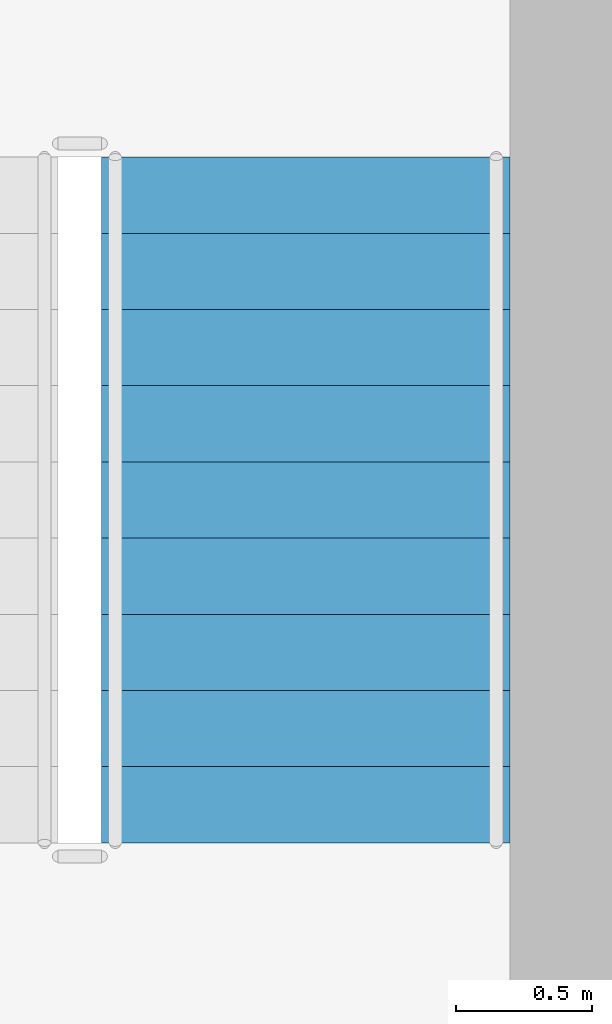
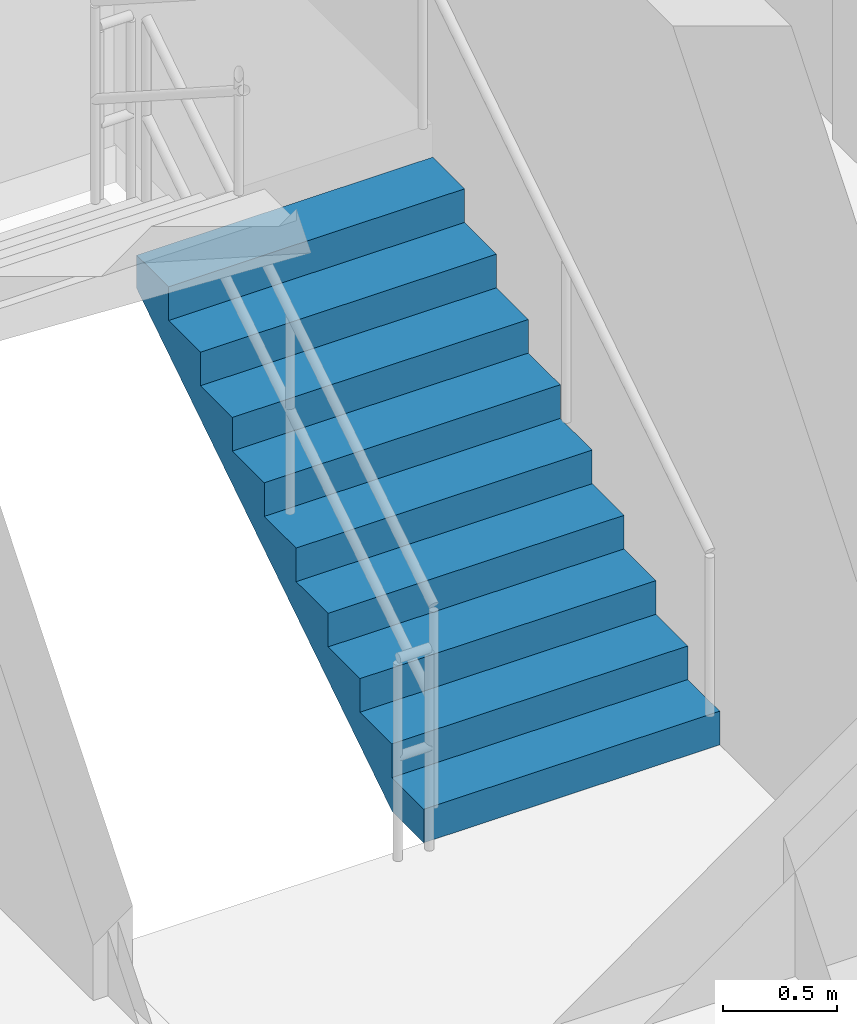
# One storey, part 12 of 15: 1 stair flight, 1 element without a shape of its own.
"""IFC4 building model written with IfcOpenShell, lengths in metres."""

import ifcopenshell
import ifcopenshell.guid

model = None  # the IFC model being written
_history = None  # IfcOwnerHistory: only IFC2X3 demands one
_inside = {}  # id of a spatial element -> (the spatial element, [elements in it])
_under = {}  # id of a project, library or spatial element -> (it, [spatial elements below it])
_declared = {}  # id of a project -> (the project, [libraries it declares])
_typed = {}  # id of a type object -> (the type object, [elements of that type])
_made_of = {}  # id of a material, layer set ... -> (it, [elements and type objects made of it])


def new_model(schema):
    """Start an empty IFC model of exactly this schema.

    Asked for "IFC4X3", IfcOpenShell would pick the latest addendum, in which some entities
    have other attributes; the version numbers below select the first issue.
    IFC2X3 requires an IfcOwnerHistory on every rooted entity: one is made here for all.
    """
    global model, _history
    if schema == "IFC4X3":
        model = ifcopenshell.file(schema_version=(4, 3, 0, 0))
    else:
        model = ifcopenshell.file(schema=schema)
    _inside.clear()
    _under.clear()
    _declared.clear()
    _typed.clear()
    _made_of.clear()
    _history = None
    if model.schema == "IFC2X3":
        org = make("IfcOrganization", Name="unknown")
        user = make(
            "IfcPersonAndOrganization",
            ThePerson=make("IfcPerson", FamilyName="unknown"),
            TheOrganization=org,
        )
        app = make(
            "IfcApplication",
            ApplicationDeveloper=org,
            Version="unknown",
            ApplicationFullName="unknown",
            ApplicationIdentifier="unknown",
        )
        _history = make(
            "IfcOwnerHistory",
            OwningUser=user,
            OwningApplication=app,
            ChangeAction="ADDED",
            CreationDate=0,
        )
    return model


def make(cls, **values):
    """One entity of the class cls with the attributes given. An attribute that is None is left unset."""
    return model.create_entity(
        cls, **{name: value for name, value in values.items() if value is not None}
    )


def rooted(cls, **values):
    """An entity with a GlobalId (a new one), such as an element, a storey or a relation."""
    return make(cls, GlobalId=ifcopenshell.guid.new(), OwnerHistory=_history, **values)


def si_unit(unit_type, name, prefix=None):
    """IfcSIUnit, for example si_unit("LENGTHUNIT", "METRE", prefix="MILLI")."""
    return make("IfcSIUnit", UnitType=unit_type, Prefix=prefix, Name=name)


def derived_unit(unit_type, elements):
    """IfcDerivedUnit: a product of units, each with its exponent."""
    return make(
        "IfcDerivedUnit",
        Elements=[
            make("IfcDerivedUnitElement", Unit=unit, Exponent=power)
            for unit, power in elements
        ],
        UnitType=unit_type,
    )


def assignment(units):
    """IfcUnitAssignment: the units of a project."""
    return None if units is None else make("IfcUnitAssignment", Units=units)


def point(xyz):
    """IfcCartesianPoint."""
    return None if xyz is None else make("IfcCartesianPoint", Coordinates=xyz)


def direction(xyz):
    """IfcDirection."""
    return None if xyz is None else make("IfcDirection", DirectionRatios=xyz)


def frame(location, z_axis=None, x_axis=None):
    """IfcAxis2Placement3D, a coordinate frame: its origin and axes. An axis left out is left unset."""
    return make(
        "IfcAxis2Placement3D",
        Location=point(location),
        Axis=direction(z_axis),
        RefDirection=direction(x_axis),
    )


def origin():
    """The frame at (0, 0, 0) with its axes left unset."""
    return frame((0.0, 0.0, 0.0))


def place(relative_to, where):
    """IfcLocalPlacement: puts the frame where relative to a parent placement (None: the world)."""
    return make(
        "IfcLocalPlacement", PlacementRelTo=relative_to, RelativePlacement=where
    )


def context(
    kind, dimensions, precision=None, world=None, true_north=None, identifier=None
):
    """IfcGeometricRepresentationContext, for example the 3D "Model" context."""
    return make(
        "IfcGeometricRepresentationContext",
        ContextIdentifier=identifier,
        ContextType=kind,
        CoordinateSpaceDimension=dimensions,
        Precision=precision,
        WorldCoordinateSystem=world,
        TrueNorth=true_north,
    )


def subcontext(parent, identifier, kind, view, scale=None):
    """IfcGeometricRepresentationSubContext, for example "Body" below "Model"."""
    return make(
        "IfcGeometricRepresentationSubContext",
        ContextIdentifier=identifier,
        ContextType=kind,
        ParentContext=parent,
        TargetScale=scale,
        TargetView=view,
    )


def project(units=None, contexts=None):
    """IfcProject with its units and contexts."""
    return rooted(
        "IfcProject",
        Name="project",
        RepresentationContexts=contexts,
        UnitsInContext=assignment(units),
    )


def spatial(cls, under=None, at=None, **own):
    """A site, building, storey or space (cls), placed at a placement, below another one or the project."""
    s = rooted(cls, ObjectPlacement=at, **own)
    if under is not None:
        _under.setdefault(under.id(), (under, []))[1].append(s)
    return s


def polyline(points):
    """IfcPolyline through the points."""
    return make("IfcPolyline", Points=[point(p) for p in points])


def outline(outer, holes=None, kind="AREA"):
    """IfcArbitraryClosedProfileDef: a profile drawn as a closed curve; with holes, ...WithVoids."""
    if holes is None:
        return make("IfcArbitraryClosedProfileDef", ProfileType=kind, OuterCurve=outer)
    return make(
        "IfcArbitraryProfileDefWithVoids",
        ProfileType=kind,
        OuterCurve=outer,
        InnerCurves=holes,
    )


def extrude(swept, where, along, depth):
    """IfcExtrudedAreaSolid: the profile swept, set in the frame where, extruded along a direction by depth."""
    return make(
        "IfcExtrudedAreaSolid",
        SweptArea=swept,
        Position=where,
        ExtrudedDirection=direction(along),
        Depth=depth,
    )


def shape(context_of_items, identifier, shape_type, items):
    """IfcShapeRepresentation: the items that make up one representation, for example the "Body"."""
    return make(
        "IfcShapeRepresentation",
        ContextOfItems=context_of_items,
        RepresentationIdentifier=identifier,
        RepresentationType=shape_type,
        Items=items,
    )


def material(Name=None, Category=None):
    """IfcMaterial."""
    return make("IfcMaterial", Name=Name, Category=Category)


def made_of(thing, what):
    """Note that an element or type object is made of a material, layer set ...; save() writes the relation."""
    if what is not None:
        _made_of.setdefault(what.id(), (what, []))[1].append(thing)
    return thing


def type_object(cls, material=None, **own):
    """A type object (cls), such as IfcWallType, which elements share."""
    return made_of(rooted(cls, **own), material)


def element(
    cls,
    number,
    at=None,
    inside=None,
    cuts=None,
    type_object=None,
    material=None,
    context=None,
    identifier="Body",
    shape_type=None,
    held_by="IfcProductDefinitionShape",
    body=None,
    shapes=None,
    **own,
):
    """One element of the class cls, such as IfcWall. Its Tag is "e" and its number.

    at: its placement. inside: the storey or other place that contains it. cuts: it is an
    opening in that element (IfcRelVoidsElement). A single representation is given by context,
    identifier, shape_type and body (its items); several are given by shapes. held_by: the class
    of the entity that holds the representations. save() writes the other relations.
    """
    e = rooted(cls, Tag="e%d" % number, ObjectPlacement=at, **own)
    if body is not None:
        shapes = [shape(context, identifier, shape_type, body)]
    if shapes is not None:
        e.Representation = make(held_by, Representations=shapes)
    if inside is not None:
        _inside.setdefault(inside.id(), (inside, []))[1].append(e)
    if cuts is not None:
        rooted(
            "IfcRelVoidsElement", RelatingBuildingElement=cuts, RelatedOpeningElement=e
        )
    if type_object is not None:
        _typed.setdefault(type_object.id(), (type_object, []))[1].append(e)
    return made_of(e, material)


def aggregate(whole, parts):
    """IfcRelAggregates: a whole, such as a stair, and the parts it consists of."""
    return rooted("IfcRelAggregates", RelatingObject=whole, RelatedObjects=parts)


def save(model, path):
    """Write the relations noted so far, then the file.

    IfcRelAggregates (storeys below a building ...), IfcRelContainedInSpatialStructure (elements
    in a storey), IfcRelDefinesByType, IfcRelAssociatesMaterial and IfcRelDeclares: one each for
    every whole, place, type object, material and project.
    """
    for whole, parts in _under.values():
        aggregate(whole, parts)
    for where, things in _inside.values():
        rooted(
            "IfcRelContainedInSpatialStructure",
            RelatedElements=things,
            RelatingStructure=where,
        )
    for kind, things in _typed.values():
        rooted("IfcRelDefinesByType", RelatedObjects=things, RelatingType=kind)
    for what, things in _made_of.values():
        rooted("IfcRelAssociatesMaterial", RelatedObjects=things, RelatingMaterial=what)
    for by, libraries in _declared.values():
        rooted("IfcRelDeclares", RelatingContext=by, RelatedDefinitions=libraries)
    model.write(path)


model = new_model("IFC4")

# Units and contexts
model_context = context("Model", 3, precision=1e-05, world=origin(), true_north=direction((0.0, 1.0)))
body_context = subcontext(model_context, "Body", "Model", "MODEL_VIEW")
ifc_project = project(units=[si_unit("LENGTHUNIT", "METRE"), si_unit("AREAUNIT", "SQUARE_METRE"), si_unit("VOLUMEUNIT", "CUBIC_METRE"), si_unit("PLANEANGLEUNIT", "RADIAN"), si_unit("MASSUNIT", "GRAM", prefix="KILO"), derived_unit("THERMALTRANSMITTANCEUNIT", [(si_unit("POWERUNIT", "WATT"), 1), (si_unit("LENGTHUNIT", "METRE"), -2), (si_unit("THERMODYNAMICTEMPERATUREUNIT", "KELVIN"), -1)])], contexts=[model_context])

# Site, building, storey
site_placement = place(None, origin())
site = spatial("IfcSite", under=ifc_project, at=site_placement, CompositionType="ELEMENT")
building_placement = place(site_placement, origin())
building = spatial("IfcBuilding", under=site, at=building_placement, Name="Korsvarv Bourse and Concert Hall", CompositionType="ELEMENT")
storey_placement = place(building_placement, frame((0.0, 0.0, 117.0)))
storey = spatial("IfcBuildingStorey", under=building, at=storey_placement, Name="L29", CompositionType="ELEMENT", Elevation=117.0)

# Stair, stair flight
ifc_material = material(Name="Precast concrete C45/55", Category="concrete")
stair_type = type_object("IfcStairType", Name="STR-TYPE-04", PredefinedType="HALF_TURN_STAIR", material=ifc_material)
stair_placement = place(storey_placement, origin())
stair = element("IfcStair", 1, at=stair_placement, inside=storey, type_object=stair_type, Name="L29 Tower East Exit Stair ST-T2", PredefinedType="HALF_TURN_STAIR")
stair_flight_type = type_object("IfcStairFlightType", Name="FLT-TYPE-04", PredefinedType="STRAIGHT", material=ifc_material)
stair_flight_placement = place(storey_placement, frame((43.64990234375, 40.0, 0.0), z_axis=(0.0, 0.0, 1.0), x_axis=(0.0, 1.0, 0.0)))
stair_flight = element("IfcStairFlight", 2, at=stair_flight_placement, type_object=stair_flight_type, Name="ST-T2 flight 1", NumberOfRisers=10, NumberOfTreads=9, PredefinedType="STRAIGHT", RiserHeight=0.18, TreadLength=0.28, context=body_context, shape_type="SweptSolid", body=[
    extrude(outline(polyline([(0.0, 0.0), (0.0, 0.179931640625), (0.280029296875, 0.179931640625), (0.280029296875, 0.360107421875), (0.56005859375, 0.360107421875), (0.56005859375, 0.5400390625), (0.840087890625, 0.5400390625), (0.840087890625, 0.719970703125), (1.1201171875, 0.719970703125), (1.1201171875, 0.89990234375), (1.39990234375, 0.89990234375), (1.39990234375, 1.080078125), (1.679931640625, 1.080078125), (1.679931640625, 1.260009765625), (1.9599609375, 1.260009765625), (1.9599609375, 1.43994140625), (2.239990234375, 1.43994140625), (2.239990234375, 1.6201171875), (2.52001953125, 1.6201171875), (2.52001953125, 1.800048828125), (2.52001953125, 1.44189453125), (0.277099609375, 0.0), (0.0, 0.0)])), frame((0.0, 0.75, 0.0), z_axis=(0.0, -1.0, 0.0), x_axis=(1.0, 0.0, 0.0)), (0.0, 0.0, 1.0), 1.5),
])
aggregate(stair, [stair_flight])

save(model, "model.ifc")
